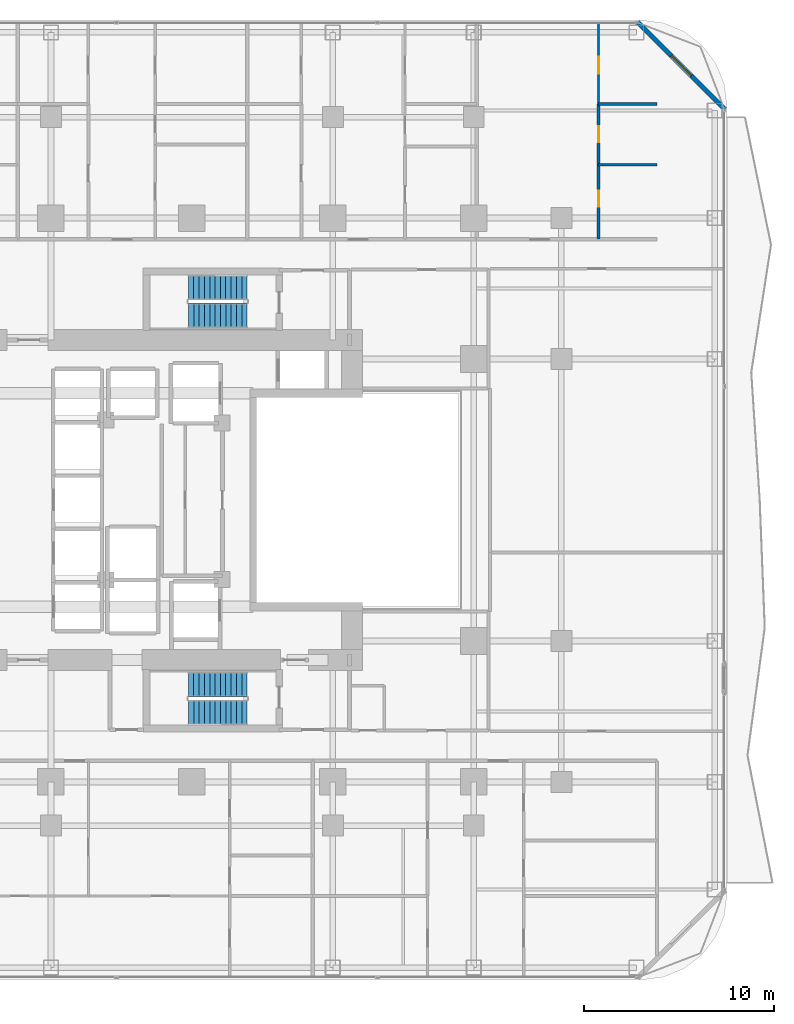
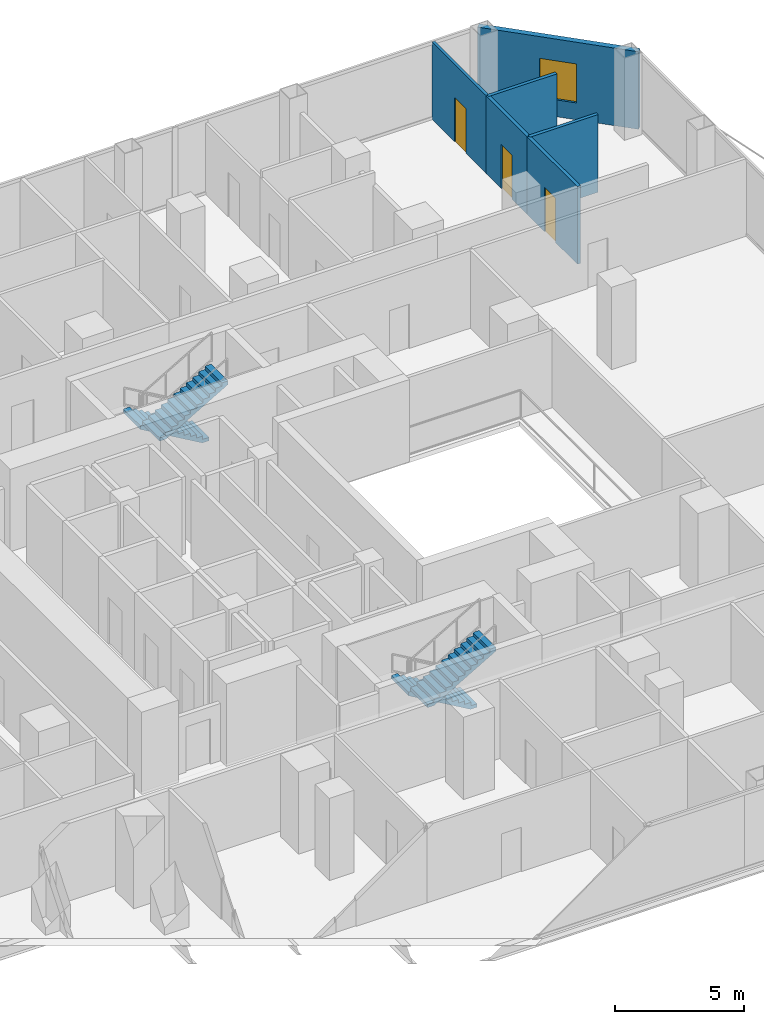
# One storey, part 24 of 27: 6 walls, 4 stair flights, 3 doors, 1 window, 4 openings, 2 elements without a shape of their own.
"""IFC4 building model written with IfcOpenShell, lengths in metres."""

import ifcopenshell
import ifcopenshell.guid

model = None  # the IFC model being written
_history = None  # IfcOwnerHistory: only IFC2X3 demands one
_inside = {}  # id of a spatial element -> (the spatial element, [elements in it])
_under = {}  # id of a project, library or spatial element -> (it, [spatial elements below it])
_declared = {}  # id of a project -> (the project, [libraries it declares])
_typed = {}  # id of a type object -> (the type object, [elements of that type])
_made_of = {}  # id of a material, layer set ... -> (it, [elements and type objects made of it])


def new_model(schema):
    """Start an empty IFC model of exactly this schema.

    Asked for "IFC4X3", IfcOpenShell would pick the latest addendum, in which some entities
    have other attributes; the version numbers below select the first issue.
    IFC2X3 requires an IfcOwnerHistory on every rooted entity: one is made here for all.
    """
    global model, _history
    if schema == "IFC4X3":
        model = ifcopenshell.file(schema_version=(4, 3, 0, 0))
    else:
        model = ifcopenshell.file(schema=schema)
    _inside.clear()
    _under.clear()
    _declared.clear()
    _typed.clear()
    _made_of.clear()
    _history = None
    if model.schema == "IFC2X3":
        org = make("IfcOrganization", Name="unknown")
        user = make(
            "IfcPersonAndOrganization",
            ThePerson=make("IfcPerson", FamilyName="unknown"),
            TheOrganization=org,
        )
        app = make(
            "IfcApplication",
            ApplicationDeveloper=org,
            Version="unknown",
            ApplicationFullName="unknown",
            ApplicationIdentifier="unknown",
        )
        _history = make(
            "IfcOwnerHistory",
            OwningUser=user,
            OwningApplication=app,
            ChangeAction="ADDED",
            CreationDate=0,
        )
    return model


def make(cls, **values):
    """One entity of the class cls with the attributes given. An attribute that is None is left unset."""
    return model.create_entity(
        cls, **{name: value for name, value in values.items() if value is not None}
    )


def rooted(cls, **values):
    """An entity with a GlobalId (a new one), such as an element, a storey or a relation."""
    return make(cls, GlobalId=ifcopenshell.guid.new(), OwnerHistory=_history, **values)


def si_unit(unit_type, name, prefix=None):
    """IfcSIUnit, for example si_unit("LENGTHUNIT", "METRE", prefix="MILLI")."""
    return make("IfcSIUnit", UnitType=unit_type, Prefix=prefix, Name=name)


def assignment(units):
    """IfcUnitAssignment: the units of a project."""
    return None if units is None else make("IfcUnitAssignment", Units=units)


def point(xyz):
    """IfcCartesianPoint."""
    return None if xyz is None else make("IfcCartesianPoint", Coordinates=xyz)


def direction(xyz):
    """IfcDirection."""
    return None if xyz is None else make("IfcDirection", DirectionRatios=xyz)


def frame(location, z_axis=None, x_axis=None):
    """IfcAxis2Placement3D, a coordinate frame: its origin and axes. An axis left out is left unset."""
    return make(
        "IfcAxis2Placement3D",
        Location=point(location),
        Axis=direction(z_axis),
        RefDirection=direction(x_axis),
    )


def frame_2d(location, x_axis=None):
    """IfcAxis2Placement2D, a coordinate frame in the plane: its origin and x axis."""
    return make(
        "IfcAxis2Placement2D", Location=point(location), RefDirection=direction(x_axis)
    )


def origin():
    """The frame at (0, 0, 0) with its axes left unset."""
    return frame((0.0, 0.0, 0.0))


def place(relative_to, where):
    """IfcLocalPlacement: puts the frame where relative to a parent placement (None: the world)."""
    return make(
        "IfcLocalPlacement", PlacementRelTo=relative_to, RelativePlacement=where
    )


def context(
    kind, dimensions, precision=None, world=None, true_north=None, identifier=None
):
    """IfcGeometricRepresentationContext, for example the 3D "Model" context."""
    return make(
        "IfcGeometricRepresentationContext",
        ContextIdentifier=identifier,
        ContextType=kind,
        CoordinateSpaceDimension=dimensions,
        Precision=precision,
        WorldCoordinateSystem=world,
        TrueNorth=true_north,
    )


def subcontext(parent, identifier, kind, view, scale=None):
    """IfcGeometricRepresentationSubContext, for example "Body" below "Model"."""
    return make(
        "IfcGeometricRepresentationSubContext",
        ContextIdentifier=identifier,
        ContextType=kind,
        ParentContext=parent,
        TargetScale=scale,
        TargetView=view,
    )


def project(units=None, contexts=None):
    """IfcProject with its units and contexts."""
    return rooted(
        "IfcProject",
        Name="project",
        RepresentationContexts=contexts,
        UnitsInContext=assignment(units),
    )


def spatial(cls, under=None, at=None, **own):
    """A site, building, storey or space (cls), placed at a placement, below another one or the project."""
    s = rooted(cls, ObjectPlacement=at, **own)
    if under is not None:
        _under.setdefault(under.id(), (under, []))[1].append(s)
    return s


def polyline(points):
    """IfcPolyline through the points."""
    return make("IfcPolyline", Points=[point(p) for p in points])


def profile(cls, at=None, kind="AREA", **sizes):
    """A parametric profile (cls). Its sizes go by their IFC names, for example OverallWidth=200.0."""
    return make(cls, ProfileType=kind, Position=at, **sizes)


def rectangle(**sizes):
    """IfcRectangleProfileDef."""
    return profile("IfcRectangleProfileDef", **sizes)


def outline(outer, holes=None, kind="AREA"):
    """IfcArbitraryClosedProfileDef: a profile drawn as a closed curve; with holes, ...WithVoids."""
    if holes is None:
        return make("IfcArbitraryClosedProfileDef", ProfileType=kind, OuterCurve=outer)
    return make(
        "IfcArbitraryProfileDefWithVoids",
        ProfileType=kind,
        OuterCurve=outer,
        InnerCurves=holes,
    )


def extrude(swept, where, along, depth):
    """IfcExtrudedAreaSolid: the profile swept, set in the frame where, extruded along a direction by depth."""
    return make(
        "IfcExtrudedAreaSolid",
        SweptArea=swept,
        Position=where,
        ExtrudedDirection=direction(along),
        Depth=depth,
    )


def shape(context_of_items, identifier, shape_type, items):
    """IfcShapeRepresentation: the items that make up one representation, for example the "Body"."""
    return make(
        "IfcShapeRepresentation",
        ContextOfItems=context_of_items,
        RepresentationIdentifier=identifier,
        RepresentationType=shape_type,
        Items=items,
    )


def material(Name=None, Category=None):
    """IfcMaterial."""
    return make("IfcMaterial", Name=Name, Category=Category)


def layer(
    of_material, thickness, ventilated=None, Name=None, Category=None, Priority=None
):
    """IfcMaterialLayer: one layer of a wall or slab, of a material (None: an air gap)."""
    return make(
        "IfcMaterialLayer",
        Material=of_material,
        LayerThickness=thickness,
        IsVentilated=ventilated,
        Name=Name,
        Category=Category,
        Priority=Priority,
    )


def layer_set(layers, Name=None):
    """IfcMaterialLayerSet."""
    return make("IfcMaterialLayerSet", MaterialLayers=layers, LayerSetName=Name)


def made_of(thing, what):
    """Note that an element or type object is made of a material, layer set ...; save() writes the relation."""
    if what is not None:
        _made_of.setdefault(what.id(), (what, []))[1].append(thing)
    return thing


def type_object(cls, material=None, **own):
    """A type object (cls), such as IfcWallType, which elements share."""
    return made_of(rooted(cls, **own), material)


def element(
    cls,
    number,
    at=None,
    inside=None,
    cuts=None,
    type_object=None,
    material=None,
    context=None,
    identifier="Body",
    shape_type=None,
    held_by="IfcProductDefinitionShape",
    body=None,
    shapes=None,
    **own,
):
    """One element of the class cls, such as IfcWall. Its Tag is "e" and its number.

    at: its placement. inside: the storey or other place that contains it. cuts: it is an
    opening in that element (IfcRelVoidsElement). A single representation is given by context,
    identifier, shape_type and body (its items); several are given by shapes. held_by: the class
    of the entity that holds the representations. save() writes the other relations.
    """
    e = rooted(cls, Tag="e%d" % number, ObjectPlacement=at, **own)
    if body is not None:
        shapes = [shape(context, identifier, shape_type, body)]
    if shapes is not None:
        e.Representation = make(held_by, Representations=shapes)
    if inside is not None:
        _inside.setdefault(inside.id(), (inside, []))[1].append(e)
    if cuts is not None:
        rooted(
            "IfcRelVoidsElement", RelatingBuildingElement=cuts, RelatedOpeningElement=e
        )
    if type_object is not None:
        _typed.setdefault(type_object.id(), (type_object, []))[1].append(e)
    return made_of(e, material)


def fill(opening, filler):
    """IfcRelFillsElement: the door or window that sits in an opening."""
    return rooted(
        "IfcRelFillsElement",
        RelatingOpeningElement=opening,
        RelatedBuildingElement=filler,
    )


def aggregate(whole, parts):
    """IfcRelAggregates: a whole, such as a stair, and the parts it consists of."""
    return rooted("IfcRelAggregates", RelatingObject=whole, RelatedObjects=parts)


def save(model, path):
    """Write the relations noted so far, then the file.

    IfcRelAggregates (storeys below a building ...), IfcRelContainedInSpatialStructure (elements
    in a storey), IfcRelDefinesByType, IfcRelAssociatesMaterial and IfcRelDeclares: one each for
    every whole, place, type object, material and project.
    """
    for whole, parts in _under.values():
        aggregate(whole, parts)
    for where, things in _inside.values():
        rooted(
            "IfcRelContainedInSpatialStructure",
            RelatedElements=things,
            RelatingStructure=where,
        )
    for kind, things in _typed.values():
        rooted("IfcRelDefinesByType", RelatedObjects=things, RelatingType=kind)
    for what, things in _made_of.values():
        rooted("IfcRelAssociatesMaterial", RelatedObjects=things, RelatingMaterial=what)
    for by, libraries in _declared.values():
        rooted("IfcRelDeclares", RelatingContext=by, RelatedDefinitions=libraries)
    model.write(path)


model = new_model("IFC4")

# Units and contexts
model_context = context("Model", 3, precision=1e-05, world=origin(), true_north=direction((0.0, 1.0)))
body_context = subcontext(model_context, "Body", "Model", "MODEL_VIEW")
ifc_project = project(units=[si_unit("LENGTHUNIT", "METRE"), si_unit("AREAUNIT", "SQUARE_METRE"), si_unit("VOLUMEUNIT", "CUBIC_METRE"), si_unit("PLANEANGLEUNIT", "RADIAN"), si_unit("MASSUNIT", "GRAM", prefix="KILO")], contexts=[model_context])

# Site, building, storey
site_placement = place(None, origin())
site = spatial("IfcSite", under=ifc_project, at=site_placement, CompositionType="ELEMENT")
building_placement = place(site_placement, origin())
building = spatial("IfcBuilding", under=site, at=building_placement, Name="Khorvyn Point Tower", CompositionType="ELEMENT")
storey_placement = place(building_placement, frame((0.0, 0.0, 42.300048828125)))
storey = spatial("IfcBuildingStorey", under=building, at=storey_placement, Name="L11", CompositionType="ELEMENT", Elevation=42.300048828125)

# Wall, opening, window
ifc_material_1 = material(Name="Pale anodised aluminium rainscreen on steel stud", Category="steel")
ifc_layer_1 = layer(ifc_material_1, 0.239990234375)
ifc_layer_set_1 = layer_set([ifc_layer_1], Name="Anodised Aluminium Insulated Corner Spandrel Wall 240")
wall_type_1 = type_object("IfcWallType", Name="Anodised Aluminium Insulated Corner Spandrel Wall 240", PredefinedType="SOLIDWALL", material=ifc_layer_set_1)
wall_1_placement = place(storey_placement, frame((23.40771484375, 25.09228515625, 0.0), z_axis=(0.0, 0.0, 1.0), x_axis=(0.707106781187, -0.707106781187, 0.0)))
wall_1 = element("IfcWall", 1, at=wall_1_placement, inside=storey, type_object=wall_type_1, Name="L11 Rounded Corner Wall NE", PredefinedType="SOLIDWALL", context=body_context, shape_type="SweptSolid", body=[
    extrude(rectangle(XDim=6.48388671875, YDim=0.239990234375, at=frame_2d((3.241943359375, 0.0))), origin(), (0.0, 0.0, 1.0), 3.679931640625),
])
opening_1_placement = place(wall_1_placement, frame((2.491943359375, 0.0, 0.800048828125)))
opening_1 = element("IfcOpeningElement", 2, at=opening_1_placement, cuts=wall_1, Name="Opening WN-1518", PredefinedType="OPENING", context=body_context, shape_type="SweptSolid", body=[
    extrude(rectangle(XDim=1.5, YDim=1.85009765625, at=frame_2d((0.75, 0.925048828125))), frame((0.0, 0.1298828125, 0.0), z_axis=(0.0, -1.0, 0.0), x_axis=(1.0, 0.0, 0.0)), (0.0, 0.0, 1.0), 0.260009765625),
])
ifc_material_2 = material(Name="Anodised aluminium 6063-T6 and laminated Low-E glass", Category="aluminium")
window_type = type_object("IfcWindowType", Name="Anodised Aluminium Rounded-Corner Panoramic Window 1500x1850", PartitioningType="SINGLE_PANEL", PredefinedType="WINDOW", material=ifc_material_2)
window_placement = place(opening_1_placement, origin())
window = element("IfcWindow", 3, at=window_placement, inside=storey, type_object=window_type, Name="L11 Corner Panoramic Window NE", OverallHeight=1.85009765625, OverallWidth=1.5, PartitioningType="SINGLE_PANEL", PredefinedType="WINDOW", context=body_context, shape_type="SweptSolid", body=[
    extrude(rectangle(XDim=1.5, YDim=1.85009765625, at=frame_2d((0.75, 0.925048828125))), frame((0.0, 0.030029296875, 0.0), z_axis=(0.0, -1.0, 0.0), x_axis=(1.0, 0.0, 0.0)), (0.0, 0.0, 1.0), 0.06005859375),
])
fill(opening_1, window)

# Wall, opening, door
ifc_material_3 = material(Name="Gypsum plasterboard on steel stud", Category="steel")
ifc_layer_2 = layer(ifc_material_3, 0.1201171875)
ifc_layer_set_2 = layer_set([ifc_layer_2], Name="Gypsum Acoustic Stud Room Partition Wall 120")
wall_type_2 = type_object("IfcWallType", Name="Gypsum Acoustic Stud Room Partition Wall 120", PredefinedType="PARTITIONING", material=ifc_layer_set_2)
wall_2_placement = place(storey_placement, frame((21.35205078125, 20.7900390625, 0.0), z_axis=(0.0, 0.0, 1.0), x_axis=(0.0, 1.0, 0.0)))
wall_2 = element("IfcWall", 4, at=wall_2_placement, inside=storey, type_object=wall_type_2, Name="Wall", PredefinedType="PARTITIONING", context=body_context, shape_type="SweptSolid", body=[
    extrude(rectangle(XDim=4.239990234375, YDim=0.1201171875, at=frame_2d((2.1201171875, 0.0))), origin(), (0.0, 0.0, 1.0), 3.679931640625),
])
opening_2_placement = place(wall_2_placement, frame((1.581298828125, 0.0, 0.0)))
opening_2 = element("IfcOpeningElement", 5, at=opening_2_placement, cuts=wall_2, Name="Opening ID-RM90", PredefinedType="OPENING", context=body_context, shape_type="SweptSolid", body=[
    extrude(rectangle(XDim=0.89990234375, YDim=2.10009765625, at=frame_2d((0.449951171875, 1.050048828125))), frame((0.0, 0.070068359375, 0.0), z_axis=(0.0, -1.0, 0.0), x_axis=(1.0, 0.0, 0.0)), (0.0, 0.0, 1.0), 0.14013671875),
])
ifc_material_4 = material(Name="Engineered oak veneer timber", Category="wood")
door_type_1 = type_object("IfcDoorType", Name="Flush Engineered Timber Room Door 900x2100", OperationType="NOTDEFINED", PredefinedType="DOOR", material=ifc_material_4)
door_1_placement = place(opening_2_placement, origin())
door_1 = element("IfcDoor", 6, at=door_1_placement, inside=storey, type_object=door_type_1, Name="Door", OperationType="SINGLE_SWING_RIGHT", OverallHeight=2.10009765625, OverallWidth=0.89990234375, PredefinedType="DOOR", context=body_context, shape_type="SweptSolid", body=[
    extrude(rectangle(XDim=0.89990234375, YDim=2.10009765625, at=frame_2d((0.449951171875, 1.050048828125))), frame((0.0, 0.02490234375, 0.0), z_axis=(0.0, -1.0, 0.0), x_axis=(1.0, 0.0, 0.0)), (0.0, 0.0, 1.0), 0.050048828125),
])
fill(opening_2, door_1)

ifc_material_5 = material(Name="Moisture-resistant gypsum and cement board", Category="gypsum")
ifc_layer_3 = layer(ifc_material_5, 0.14990234375)
ifc_layer_set_3 = layer_set([ifc_layer_3], Name="Moisture-Resistant Wet-Room Partition Wall 150")
wall_type_3 = type_object("IfcWallType", Name="Moisture-Resistant Wet-Room Partition Wall 150", PredefinedType="PARTITIONING", material=ifc_layer_set_3)
wall_3_placement = place(storey_placement, frame((21.35205078125, 13.699951171875, 0.0), z_axis=(0.0, 0.0, 1.0), x_axis=(0.0, 1.0, 0.0)))
wall_3 = element("IfcWall", 7, at=wall_3_placement, inside=storey, type_object=wall_type_3, Name="Wall", PredefinedType="PARTITIONING", context=body_context, shape_type="SweptSolid", body=[
    extrude(rectangle(XDim=3.899169921875, YDim=0.14990234375, at=frame_2d((1.94970703125, 0.0))), origin(), (0.0, 0.0, 1.0), 3.679931640625),
])
opening_3_placement = place(wall_3_placement, frame((1.695068359375, 0.0, 0.0)))
opening_3 = element("IfcOpeningElement", 8, at=opening_3_placement, cuts=wall_3, Name="Opening ID-WC85", PredefinedType="OPENING", context=body_context, shape_type="SweptSolid", body=[
    extrude(rectangle(XDim=0.85009765625, YDim=2.10009765625, at=frame_2d((0.425048828125, 1.050048828125))), frame((0.0, 0.0849609375, 0.0), z_axis=(0.0, -1.0, 0.0), x_axis=(1.0, 0.0, 0.0)), (0.0, 0.0, 1.0), 0.169921875),
])
ifc_material_6 = material(Name="High-pressure laminate on moisture-resistant core", Category="wood")
door_type_2 = type_object("IfcDoorType", Name="Moisture-Resistant Accessible Washroom Door 850x2100", OperationType="NOTDEFINED", PredefinedType="DOOR", material=ifc_material_6)
door_2_placement = place(opening_3_placement, origin())
door_2 = element("IfcDoor", 9, at=door_2_placement, inside=storey, type_object=door_type_2, Name="Door", OperationType="SINGLE_SWING_RIGHT", OverallHeight=2.10009765625, OverallWidth=0.85009765625, PredefinedType="DOOR", context=body_context, shape_type="SweptSolid", body=[
    extrude(rectangle(XDim=0.85009765625, YDim=2.10009765625, at=frame_2d((0.425048828125, 1.050048828125))), frame((0.0, 0.02490234375, 0.0), z_axis=(0.0, -1.0, 0.0), x_axis=(1.0, 0.0, 0.0)), (0.0, 0.0, 1.0), 0.050048828125),
])
fill(opening_3, door_2)

wall_4_placement = place(storey_placement, frame((21.35205078125, 17.59912109375, 0.0), z_axis=(0.0, 0.0, 1.0), x_axis=(0.0, 1.0, 0.0)))
wall_4 = element("IfcWall", 10, at=wall_4_placement, inside=storey, type_object=wall_type_3, Name="Wall", PredefinedType="PARTITIONING", context=body_context, shape_type="SweptSolid", body=[
    extrude(rectangle(XDim=3.19091796875, YDim=0.14990234375, at=frame_2d((1.595458984375, 0.0))), origin(), (0.0, 0.0, 1.0), 3.679931640625),
])
opening_4_placement = place(wall_4_placement, frame((1.17041015625, 0.0, 0.0)))
opening_4 = element("IfcOpeningElement", 11, at=opening_4_placement, cuts=wall_4, Name="Opening ID-WC85", PredefinedType="OPENING", context=body_context, shape_type="SweptSolid", body=[
    extrude(rectangle(XDim=0.85009765625, YDim=2.10009765625, at=frame_2d((0.425048828125, 1.050048828125))), frame((0.0, 0.0849609375, 0.0), z_axis=(0.0, -1.0, 0.0), x_axis=(1.0, 0.0, 0.0)), (0.0, 0.0, 1.0), 0.169921875),
])
door_3_placement = place(opening_4_placement, origin())
door_3 = element("IfcDoor", 12, at=door_3_placement, inside=storey, type_object=door_type_2, Name="Door", OperationType="SINGLE_SWING_LEFT", OverallHeight=2.10009765625, OverallWidth=0.85009765625, PredefinedType="DOOR", context=body_context, shape_type="SweptSolid", body=[
    extrude(rectangle(XDim=0.85009765625, YDim=2.10009765625, at=frame_2d((0.425048828125, 1.050048828125))), frame((0.0, 0.02490234375, 0.0), z_axis=(0.0, -1.0, 0.0), x_axis=(1.0, 0.0, 0.0)), (0.0, 0.0, 1.0), 0.050048828125),
])
fill(opening_4, door_3)

# Walls
for number, where, z_axis, x_axis, name in (
    (13, (21.35205078125, 17.59912109375, 0.0), (0.0, 0.0, 1.0), (1.0, 0.0, 0.0), "Wall"),
    (14, (21.35205078125, 20.7900390625, 0.0), (0.0, 0.0, 1.0), (1.0, 0.0, 0.0), "Wall"),
):
    element("IfcWall", number, at=place(storey_placement, frame(where, z_axis=z_axis, x_axis=x_axis)), inside=storey, type_object=wall_type_3, Name=name, PredefinedType="PARTITIONING", context=body_context, shape_type="SweptSolid", body=[
        extrude(rectangle(XDim=3.06787109375, YDim=0.14990234375, at=frame_2d((1.533935546875, 0.0))), origin(), (0.0, 0.0, 1.0), 3.679931640625),
    ])

# Stair, stair flights
ifc_material_7 = material(Name="Concrete C40/50", Category="concrete")
stair_type = type_object("IfcStairType", Name="Tower Concrete C40/50 Dogleg Exit Stair", PredefinedType="HALF_TURN_STAIR", material=ifc_material_7)
stair_1_placement = place(storey_placement, origin())
stair_1 = element("IfcStair", 15, at=stair_1_placement, inside=storey, type_object=stair_type, Name="L11 Tower Smokeproof Exit Stair South", PredefinedType="HALF_TURN_STAIR")
stair_flight_type = type_object("IfcStairFlightType", Name="Tower Concrete C40/50 Stair Flight", PredefinedType="STRAIGHT", material=ifc_material_7)
stair_flight_1_placement = place(storey_placement, frame((2.89990234375, -9.679931640625, 0.0), z_axis=(0.0, 0.0, 1.0), x_axis=(-1.0, 0.0, 0.0)))
stair_flight_1 = element("IfcStairFlight", 16, at=stair_flight_1_placement, type_object=stair_flight_type, Name="ST-01 flight 1", NumberOfRisers=12, NumberOfTreads=11, PredefinedType="STRAIGHT", RiserHeight=0.1625, TreadLength=0.28, context=body_context, shape_type="SweptSolid", body=[
    extrude(outline(polyline([(0.0, 0.0), (0.0, 0.16259765625), (0.280029296875, 0.16259765625), (0.280029296875, 0.324951171875), (0.56005859375, 0.324951171875), (0.56005859375, 0.487548828125), (0.840087890625, 0.487548828125), (0.840087890625, 0.64990234375), (1.1201171875, 0.64990234375), (1.1201171875, 0.8125), (1.39990234375, 0.8125), (1.39990234375, 0.97509765625), (1.679931640625, 0.97509765625), (1.679931640625, 1.137451171875), (1.9599609375, 1.137451171875), (1.9599609375, 1.300048828125), (2.239990234375, 1.300048828125), (2.239990234375, 1.46240234375), (2.52001953125, 1.46240234375), (2.52001953125, 1.625), (2.800048828125, 1.625), (2.800048828125, 1.78759765625), (3.080078125, 1.78759765625), (3.080078125, 1.949951171875), (3.080078125, 1.6142578125), (0.298583984375, 0.0), (0.0, 0.0)])), frame((0.0, 0.66015625, 0.0), z_axis=(0.0, -1.0, 0.0), x_axis=(1.0, 0.0, 0.0)), (0.0, 0.0, 1.0), 1.320068359375),
])
stair_flight_2_placement = place(storey_placement, frame((-0.179931640625, -11.159912109375, 1.949951171875), z_axis=(0.0, 0.0, 1.0), x_axis=(1.0, 0.0, 0.0)))
stair_flight_2 = element("IfcStairFlight", 17, at=stair_flight_2_placement, type_object=stair_flight_type, Name="ST-01 flight 2", NumberOfRisers=12, NumberOfTreads=11, PredefinedType="STRAIGHT", RiserHeight=0.1625, TreadLength=0.28, context=body_context, shape_type="SweptSolid", body=[
    extrude(outline(polyline([(0.0, 0.0), (0.0, 0.16259765625), (0.280029296875, 0.16259765625), (0.280029296875, 0.324951171875), (0.56005859375, 0.324951171875), (0.56005859375, 0.487548828125), (0.840087890625, 0.487548828125), (0.840087890625, 0.64990234375), (1.1201171875, 0.64990234375), (1.1201171875, 0.8125), (1.39990234375, 0.8125), (1.39990234375, 0.97509765625), (1.679931640625, 0.97509765625), (1.679931640625, 1.137451171875), (1.9599609375, 1.137451171875), (1.9599609375, 1.300048828125), (2.239990234375, 1.300048828125), (2.239990234375, 1.46240234375), (2.52001953125, 1.46240234375), (2.52001953125, 1.625), (2.800048828125, 1.625), (2.800048828125, 1.78759765625), (3.080078125, 1.78759765625), (3.080078125, 1.949951171875), (3.080078125, 1.6142578125), (0.298583984375, 0.0), (0.0, 0.0)])), frame((0.0, 0.66015625, 0.0), z_axis=(0.0, -1.0, 0.0), x_axis=(1.0, 0.0, 0.0)), (0.0, 0.0, 1.0), 1.320068359375),
])
aggregate(stair_1, [stair_flight_1, stair_flight_2])

stair_2_placement = place(storey_placement, origin())
stair_2 = element("IfcStair", 18, at=stair_2_placement, inside=storey, type_object=stair_type, Name="L11 Tower Smokeproof Exit Stair North", PredefinedType="HALF_TURN_STAIR")
stair_flight_3_placement = place(storey_placement, frame((2.89990234375, 11.159912109375, 0.0), z_axis=(0.0, 0.0, 1.0), x_axis=(-1.0, 0.0, 0.0)))
stair_flight_3 = element("IfcStairFlight", 19, at=stair_flight_3_placement, type_object=stair_flight_type, Name="ST-02 flight 1", NumberOfRisers=12, NumberOfTreads=11, PredefinedType="STRAIGHT", RiserHeight=0.1625, TreadLength=0.28, context=body_context, shape_type="SweptSolid", body=[
    extrude(outline(polyline([(0.0, 0.0), (0.0, 0.16259765625), (0.280029296875, 0.16259765625), (0.280029296875, 0.324951171875), (0.56005859375, 0.324951171875), (0.56005859375, 0.487548828125), (0.840087890625, 0.487548828125), (0.840087890625, 0.64990234375), (1.1201171875, 0.64990234375), (1.1201171875, 0.8125), (1.39990234375, 0.8125), (1.39990234375, 0.97509765625), (1.679931640625, 0.97509765625), (1.679931640625, 1.137451171875), (1.9599609375, 1.137451171875), (1.9599609375, 1.300048828125), (2.239990234375, 1.300048828125), (2.239990234375, 1.46240234375), (2.52001953125, 1.46240234375), (2.52001953125, 1.625), (2.800048828125, 1.625), (2.800048828125, 1.78759765625), (3.080078125, 1.78759765625), (3.080078125, 1.949951171875), (3.080078125, 1.6142578125), (0.298583984375, 0.0), (0.0, 0.0)])), frame((0.0, 0.66015625, 0.0), z_axis=(0.0, -1.0, 0.0), x_axis=(1.0, 0.0, 0.0)), (0.0, 0.0, 1.0), 1.320068359375),
])
stair_flight_4_placement = place(storey_placement, frame((-0.179931640625, 9.679931640625, 1.949951171875), z_axis=(0.0, 0.0, 1.0), x_axis=(1.0, 0.0, 0.0)))
stair_flight_4 = element("IfcStairFlight", 20, at=stair_flight_4_placement, type_object=stair_flight_type, Name="ST-02 flight 2", NumberOfRisers=12, NumberOfTreads=11, PredefinedType="STRAIGHT", RiserHeight=0.1625, TreadLength=0.28, context=body_context, shape_type="SweptSolid", body=[
    extrude(outline(polyline([(0.0, 0.0), (0.0, 0.16259765625), (0.280029296875, 0.16259765625), (0.280029296875, 0.324951171875), (0.56005859375, 0.324951171875), (0.56005859375, 0.487548828125), (0.840087890625, 0.487548828125), (0.840087890625, 0.64990234375), (1.1201171875, 0.64990234375), (1.1201171875, 0.8125), (1.39990234375, 0.8125), (1.39990234375, 0.97509765625), (1.679931640625, 0.97509765625), (1.679931640625, 1.137451171875), (1.9599609375, 1.137451171875), (1.9599609375, 1.300048828125), (2.239990234375, 1.300048828125), (2.239990234375, 1.46240234375), (2.52001953125, 1.46240234375), (2.52001953125, 1.625), (2.800048828125, 1.625), (2.800048828125, 1.78759765625), (3.080078125, 1.78759765625), (3.080078125, 1.949951171875), (3.080078125, 1.6142578125), (0.298583984375, 0.0), (0.0, 0.0)])), frame((0.0, 0.66015625, 0.0), z_axis=(0.0, -1.0, 0.0), x_axis=(1.0, 0.0, 0.0)), (0.0, 0.0, 1.0), 1.320068359375),
])
aggregate(stair_2, [stair_flight_3, stair_flight_4])

save(model, "model.ifc")
